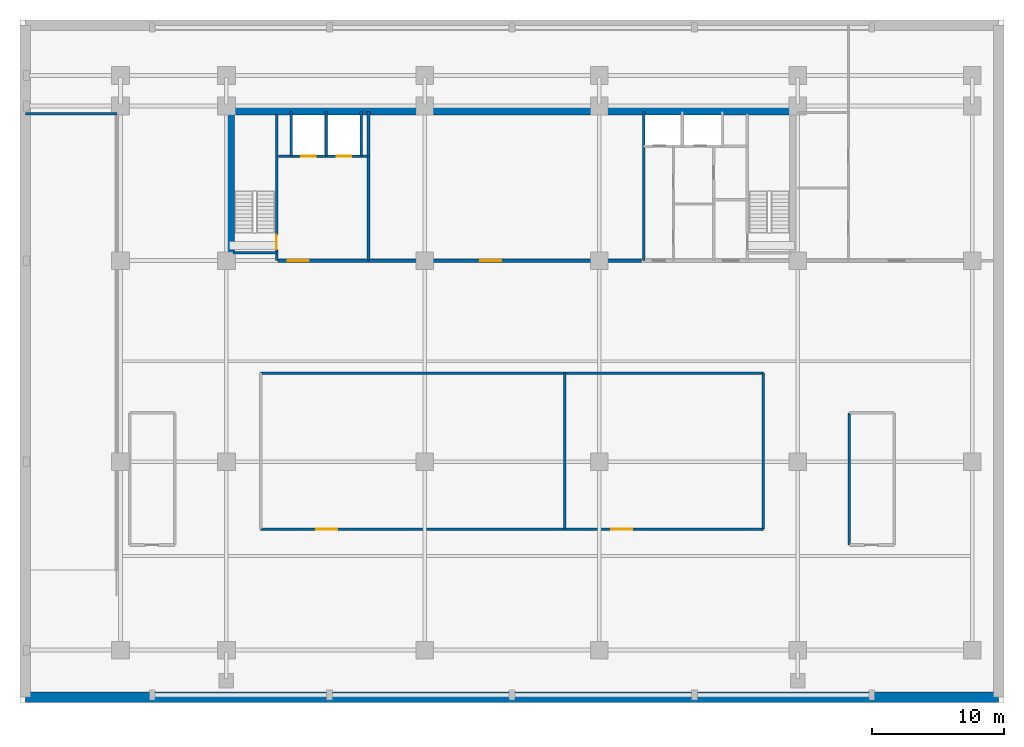
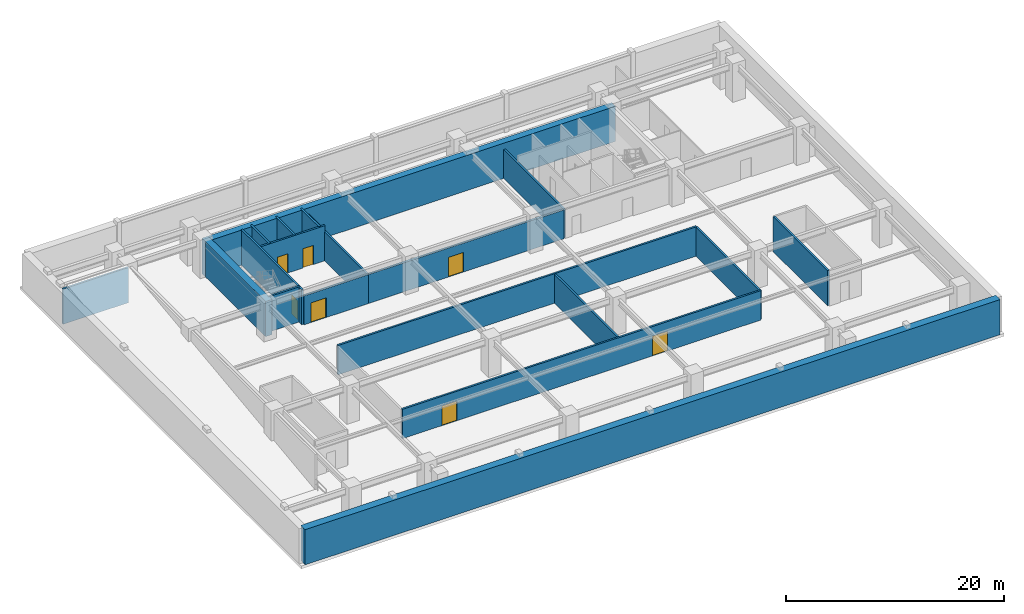
# One storey, part 4 of 8: 19 walls, 7 doors, 7 openings.
"""IFC4 building model written with IfcOpenShell, lengths in metres."""

from ifc_helpers import new_model, si_unit, direction, frame, frame_2d, origin, place, context, subcontext, project, spatial, rectangle, extrude, source, transform, mapped, material, layer, layer_set, type_object, element, fill, save


model = new_model("IFC4")

# Units and contexts
model_context = context("Model", 3, precision=1e-05, world=origin(), true_north=direction((0.0, 1.0)))
body_context = subcontext(model_context, "Body", "Model", "MODEL_VIEW")
ifc_project = project(units=[si_unit("LENGTHUNIT", "METRE"), si_unit("AREAUNIT", "SQUARE_METRE"), si_unit("VOLUMEUNIT", "CUBIC_METRE"), si_unit("PLANEANGLEUNIT", "RADIAN"), si_unit("MASSUNIT", "GRAM", prefix="KILO")], contexts=[model_context])

# Site, building, storey
site_placement = place(None, origin())
site = spatial("IfcSite", under=ifc_project, at=site_placement, CompositionType="ELEMENT")
building_placement = place(site_placement, origin())
building = spatial("IfcBuilding", under=site, at=building_placement, Name="Trelvane Seafront Commons", CompositionType="ELEMENT")
storey_placement = place(building_placement, frame((0.0, 0.0, -4.300048828125)))
storey = spatial("IfcBuildingStorey", under=building, at=storey_placement, Name="B01", CompositionType="ELEMENT", Elevation=-4.300048828125)

# Wall, openings, doors
ifc_material_1 = material(Name="Concrete C40/50", Category="concrete")
ifc_layer_1 = layer(ifc_material_1, 0.199951171875, Name="ARCH-WALL-FIRE200")
ifc_layer_set_1 = layer_set([ifc_layer_1], Name="Concrete C40/50")
wall_type_1 = type_object("IfcWallType", Name="ARCH-WALL-FIRE200", PredefinedType="PARTITIONING", material=ifc_layer_set_1)
wall_1_placement = place(storey_placement, frame((18.199951171875, 13.10009765625, 0.0), z_axis=(0.0, 0.0, 1.0), x_axis=(1.0, 0.0, 0.0)))
wall_1 = element("IfcWall", 1, at=wall_1_placement, inside=storey, type_object=wall_type_1, Name="W-B01-BM-IS-S-035", PredefinedType="PARTITIONING", context=body_context, shape_type="SweptSolid", body=[
    extrude(rectangle(XDim=38.0, YDim=0.199951171875, at=frame_2d((19.0, 0.0))), origin(), (0.0, 0.0, 1.0), 3.2900390625),
])
opening_1_placement = place(wall_1_placement, frame((4.199951171875, 0.0, 0.0)))
opening_1 = element("IfcOpeningElement", 2, at=opening_1_placement, cuts=wall_1, Name="Opening FD-B01-18", PredefinedType="OPENING", context=body_context, shape_type="SweptSolid", body=[
    extrude(rectangle(XDim=1.60009765625, YDim=2.199951171875, at=frame_2d((0.800048828125, 1.10009765625))), frame((0.0, 0.10986328125, 0.0), z_axis=(0.0, -1.0, 0.0), x_axis=(1.0, 0.0, 0.0)), (0.0, 0.0, 1.0), 0.219970703125),
])
opening_2_placement = place(wall_1_placement, frame((26.5, 0.0, 0.0)))
opening_2 = element("IfcOpeningElement", 3, at=opening_2_placement, cuts=wall_1, Name="Opening FD-B01-19", PredefinedType="OPENING", context=body_context, shape_type="SweptSolid", body=[
    extrude(rectangle(XDim=1.60009765625, YDim=2.199951171875, at=frame_2d((0.800048828125, 1.10009765625))), frame((0.0, 0.10986328125, 0.0), z_axis=(0.0, -1.0, 0.0), x_axis=(1.0, 0.0, 0.0)), (0.0, 0.0, 1.0), 0.219970703125),
])
ifc_material_2 = material(Name="Powder-coated aluminium frame", Category="aluminium")
door_type_1 = type_object("IfcDoorType", Name="ARCH-DR-FD60-1600", OperationType="DOUBLE_DOOR_SINGLE_SWING", PredefinedType="DOOR", material=ifc_material_2)
shared_shape_1 = source(origin(), body_context, "Body", "SweptSolid", [
    extrude(rectangle(XDim=1.60009765625, YDim=2.199951171875, at=frame_2d((0.800048828125, 1.10009765625))), frame((0.0, 0.02490234375, 0.0), z_axis=(0.0, -1.0, 0.0), x_axis=(1.0, 0.0, 0.0)), (0.0, 0.0, 1.0), 0.050048828125),
])
door_1_placement = place(opening_1_placement, origin())
door_1 = element("IfcDoor", 4, at=door_1_placement, inside=storey, type_object=door_type_1, Name="B01 Door 18", OperationType="DOUBLE_DOOR_SINGLE_SWING", OverallHeight=2.199951171875, OverallWidth=1.60009765625, PredefinedType="DOOR", context=body_context, shape_type="MappedRepresentation", body=[
    mapped(shared_shape_1, transform((0.0, 0.0, 0.0), x_axis=(1.0, 0.0, 0.0), y_axis=(0.0, 1.0, 0.0), z_axis=(0.0, 0.0, 1.0), scale=1.0)),
])
fill(opening_1, door_1)
door_2_placement = place(opening_2_placement, origin())
door_2 = element("IfcDoor", 5, at=door_2_placement, inside=storey, type_object=door_type_1, Name="B01 Door 19", OperationType="DOUBLE_DOOR_SINGLE_SWING", OverallHeight=2.199951171875, OverallWidth=1.60009765625, PredefinedType="DOOR", context=body_context, shape_type="MappedRepresentation", body=[
    mapped(shared_shape_1, transform((0.0, 0.0, 0.0), x_axis=(1.0, 0.0, 0.0), y_axis=(0.0, 1.0, 0.0), z_axis=(0.0, 0.0, 1.0), scale=1.0)),
])
fill(opening_2, door_2)

# Walls
wall_2_placement = place(storey_placement, frame((18.199951171875, 24.89990234375, 0.0), z_axis=(0.0, 0.0, 1.0), x_axis=(1.0, 0.0, 0.0)))
element("IfcWall", 6, at=wall_2_placement, inside=storey, type_object=wall_type_1, Name="W-B01-BM-IS-N-036", PredefinedType="PARTITIONING", context=body_context, shape_type="SweptSolid", body=[
    extrude(rectangle(XDim=38.0, YDim=0.199951171875, at=frame_2d((19.0, 0.0))), origin(), (0.0, 0.0, 1.0), 3.2900390625),
])
for number, where, z_axis, x_axis, name in (
    (7, (56.199951171875, 13.10009765625, 0.0), (0.0, 0.0, 1.0), (0.0, 1.0, 0.0), "W-B01-BM-IS-E-038"),
    (8, (41.199951171875, 13.10009765625, 0.0), (0.0, 0.0, 1.0), (0.0, 1.0, 0.0), "W-B01-BM-IS-M-039"),
):
    element("IfcWall", number, at=place(storey_placement, frame(where, z_axis=z_axis, x_axis=x_axis)), inside=storey, type_object=wall_type_1, Name=name, PredefinedType="PARTITIONING", context=body_context, shape_type="SweptSolid", body=[
        extrude(rectangle(XDim=11.7998046875, YDim=0.199951171875, at=frame_2d((5.89990234375, 0.0))), origin(), (0.0, 0.0, 1.0), 3.239990234375),
    ])

# Wall, opening, door
ifc_layer_2 = layer(ifc_material_1, 0.25, Name="ARCH-WALL-FIRE250")
ifc_layer_set_2 = layer_set([ifc_layer_2], Name="Concrete C40/50")
wall_type_2 = type_object("IfcWallType", Name="ARCH-WALL-FIRE250", PredefinedType="PARTITIONING", material=ifc_layer_set_2)
wall_3_placement = place(storey_placement, frame((19.5, 33.39990234375, 0.0), z_axis=(0.0, 0.0, 1.0), x_axis=(1.0, 0.0, 0.0)))
wall_3 = element("IfcWall", 9, at=wall_3_placement, inside=storey, type_object=wall_type_2, Name="W-B01-CS-FFL-021", PredefinedType="PARTITIONING", context=body_context, shape_type="SweptSolid", body=[
    extrude(rectangle(XDim=6.800048828125, YDim=0.25, at=frame_2d((3.39990234375, 0.0))), origin(), (0.0, 0.0, 1.0), 3.239990234375),
])
opening_3_placement = place(wall_3_placement, frame((0.75, 0.0, 0.0)))
opening_3 = element("IfcOpeningElement", 10, at=opening_3_placement, cuts=wall_3, Name="Opening FD-B01-07", PredefinedType="OPENING", context=body_context, shape_type="SweptSolid", body=[
    extrude(rectangle(XDim=1.60009765625, YDim=2.199951171875, at=frame_2d((0.800048828125, 1.10009765625))), frame((0.0, 0.135009765625, 0.0), z_axis=(0.0, -1.0, 0.0), x_axis=(1.0, 0.0, 0.0)), (0.0, 0.0, 1.0), 0.27001953125),
])
door_3_placement = place(opening_3_placement, origin())
door_3 = element("IfcDoor", 11, at=door_3_placement, inside=storey, type_object=door_type_1, Name="B01 Firefighting Lift Lobby Double Fire Door", OperationType="DOUBLE_DOOR_SINGLE_SWING", OverallHeight=2.199951171875, OverallWidth=1.60009765625, PredefinedType="DOOR", context=body_context, shape_type="MappedRepresentation", body=[
    mapped(shared_shape_1, transform((0.0, 0.0, 0.0), x_axis=(1.0, 0.0, 0.0), y_axis=(0.0, 1.0, 0.0), z_axis=(0.0, 0.0, 1.0), scale=1.0)),
])
fill(opening_3, door_3)

wall_4_placement = place(storey_placement, frame((26.300048828125, 33.39990234375, 0.0), z_axis=(0.0, 0.0, 1.0), x_axis=(1.0, 0.0, 0.0)))
wall_4 = element("IfcWall", 12, at=wall_4_placement, inside=storey, type_object=wall_type_2, Name="W-B01-CS-MID-023", PredefinedType="PARTITIONING", context=body_context, shape_type="SweptSolid", body=[
    extrude(rectangle(XDim=20.699951171875, YDim=0.25, at=frame_2d((10.35009765625, 0.0))), origin(), (0.0, 0.0, 1.0), 3.239990234375),
])
opening_4_placement = place(wall_4_placement, frame((8.5, 0.0, 0.0)))
opening_4 = element("IfcOpeningElement", 13, at=opening_4_placement, cuts=wall_4, Name="Opening FD-B01-08", PredefinedType="OPENING", context=body_context, shape_type="SweptSolid", body=[
    extrude(rectangle(XDim=1.60009765625, YDim=2.199951171875, at=frame_2d((0.800048828125, 1.10009765625))), frame((0.0, 0.135009765625, 0.0), z_axis=(0.0, -1.0, 0.0), x_axis=(1.0, 0.0, 0.0)), (0.0, 0.0, 1.0), 0.27001953125),
])
door_4_placement = place(opening_4_placement, origin())
door_4 = element("IfcDoor", 14, at=door_4_placement, inside=storey, type_object=door_type_1, Name="B01 Core Technical Room Door", OperationType="DOUBLE_DOOR_SINGLE_SWING", OverallHeight=2.199951171875, OverallWidth=1.60009765625, PredefinedType="DOOR", context=body_context, shape_type="MappedRepresentation", body=[
    mapped(shared_shape_1, transform((0.0, 0.0, 0.0), x_axis=(1.0, 0.0, 0.0), y_axis=(0.0, 1.0, 0.0), z_axis=(0.0, 0.0, 1.0), scale=1.0)),
])
fill(opening_4, door_4)

# Wall, openings, doors
ifc_layer_3 = layer(ifc_material_1, 0.199951171875, Name="ARCH-WALL-SHAFT200")
ifc_layer_set_3 = layer_set([ifc_layer_3], Name="Concrete C40/50")
wall_type_3 = type_object("IfcWallType", Name="ARCH-WALL-SHAFT200", PredefinedType="SOLIDWALL", material=ifc_layer_set_3)
wall_5_placement = place(storey_placement, frame((19.550048828125, 41.300048828125, 0.0), z_axis=(0.0, 0.0, 1.0), x_axis=(1.0, 0.0, 0.0)))
wall_5 = element("IfcWall", 15, at=wall_5_placement, inside=storey, type_object=wall_type_3, Name="W-B01-FFL-FRONT-016", PredefinedType="SOLIDWALL", context=body_context, shape_type="SweptSolid", body=[
    extrude(rectangle(XDim=6.75, YDim=0.199951171875, at=frame_2d((3.375, 0.0))), origin(), (0.0, 0.0, 1.0), 3.93994140625),
])
opening_5_placement = place(wall_5_placement, frame((1.699951171875, 0.0, 0.0)))
opening_5 = element("IfcOpeningElement", 16, at=opening_5_placement, cuts=wall_5, Name="Opening LD-FF1-B01", PredefinedType="OPENING", context=body_context, shape_type="SweptSolid", body=[
    extrude(rectangle(XDim=1.10009765625, YDim=2.14990234375, at=frame_2d((0.550048828125, 1.074951171875))), frame((0.0, 0.10986328125, 0.0), z_axis=(0.0, -1.0, 0.0), x_axis=(1.0, 0.0, 0.0)), (0.0, 0.0, 1.0), 0.219970703125),
])
opening_6_placement = place(wall_5_placement, frame((4.39990234375, 0.0, 0.0)))
opening_6 = element("IfcOpeningElement", 17, at=opening_6_placement, cuts=wall_5, Name="Opening LD-FF2-B01", PredefinedType="OPENING", context=body_context, shape_type="SweptSolid", body=[
    extrude(rectangle(XDim=1.10009765625, YDim=2.14990234375, at=frame_2d((0.550048828125, 1.074951171875))), frame((0.0, 0.10986328125, 0.0), z_axis=(0.0, -1.0, 0.0), x_axis=(1.0, 0.0, 0.0)), (0.0, 0.0, 1.0), 0.219970703125),
])
ifc_material_3 = material(Name="Stainless steel balustrade", Category="steel")
door_type_2 = type_object("IfcDoorType", Name="ARCH-DR-LD1100", OperationType="DOUBLE_DOOR_SLIDING", PredefinedType="DOOR", material=ifc_material_3)
shared_shape_2 = source(origin(), body_context, "Body", "SweptSolid", [
    extrude(rectangle(XDim=1.10009765625, YDim=2.14990234375, at=frame_2d((0.550048828125, 1.074951171875))), frame((0.0, 0.02490234375, 0.0), z_axis=(0.0, -1.0, 0.0), x_axis=(1.0, 0.0, 0.0)), (0.0, 0.0, 1.0), 0.050048828125),
])
door_5_placement = place(opening_5_placement, origin())
door_5 = element("IfcDoor", 18, at=door_5_placement, inside=storey, type_object=door_type_2, Name="B01 Firefighting Lift FFL-1 Landing Door", OperationType="DOUBLE_DOOR_SLIDING", OverallHeight=2.14990234375, OverallWidth=1.10009765625, PredefinedType="DOOR", context=body_context, shape_type="MappedRepresentation", body=[
    mapped(shared_shape_2, transform((0.0, 0.0, 0.0), x_axis=(1.0, 0.0, 0.0), y_axis=(0.0, 1.0, 0.0), z_axis=(0.0, 0.0, 1.0), scale=1.0)),
])
fill(opening_5, door_5)
door_6_placement = place(opening_6_placement, origin())
door_6 = element("IfcDoor", 19, at=door_6_placement, inside=storey, type_object=door_type_2, Name="B01 Firefighting Lift FFL-2 Landing Door", OperationType="DOUBLE_DOOR_SLIDING", OverallHeight=2.14990234375, OverallWidth=1.10009765625, PredefinedType="DOOR", context=body_context, shape_type="MappedRepresentation", body=[
    mapped(shared_shape_2, transform((0.0, 0.0, 0.0), x_axis=(1.0, 0.0, 0.0), y_axis=(0.0, 1.0, 0.0), z_axis=(0.0, 0.0, 1.0), scale=1.0)),
])
fill(opening_6, door_6)

# Walls
for number, where, z_axis, x_axis, name in (
    (20, (20.5, 41.300048828125, 0.0), (0.0, 0.0, 1.0), (0.0, 1.0, 0.0), "W-B01-FFL-SH-W-017"),
    (21, (23.14990234375, 41.300048828125, 0.0), (0.0, 0.0, 1.0), (0.0, 1.0, 0.0), "W-B01-FFL-DIV-018"),
    (22, (25.800048828125, 41.300048828125, 0.0), (0.0, 0.0, 1.0), (0.0, 1.0, 0.0), "W-B01-FFL-SH-E-019"),
):
    element("IfcWall", number, at=place(storey_placement, frame(where, z_axis=z_axis, x_axis=x_axis)), inside=storey, type_object=wall_type_3, Name=name, PredefinedType="SOLIDWALL", context=body_context, shape_type="SweptSolid", body=[
        extrude(rectangle(XDim=3.39990234375, YDim=0.199951171875, at=frame_2d((1.699951171875, 0.0))), origin(), (0.0, 0.0, 1.0), 3.93994140625),
    ])
for number, where, z_axis, x_axis, name in (
    (23, (26.35009765625, 33.39990234375, 0.0), (0.0, 0.0, 1.0), (0.0, 1.0, 0.0), "W-B01-FFL-EAST-020"),
    (24, (47.14990234375, 33.39990234375, 0.0), (0.0, 0.0, 1.0), (0.0, 1.0, 0.0), "W-B01-RSR-W-BM-022"),
):
    element("IfcWall", number, at=place(storey_placement, frame(where, z_axis=z_axis, x_axis=x_axis)), inside=storey, type_object=wall_type_3, Name=name, PredefinedType="SOLIDWALL", context=body_context, shape_type="SweptSolid", body=[
        extrude(rectangle(XDim=11.300048828125, YDim=0.199951171875, at=frame_2d((5.64990234375, 0.0))), origin(), (0.0, 0.0, 1.0), 3.239990234375),
    ])
ifc_material_4 = material(Name="Concrete C60/75", Category="concrete")
ifc_layer_4 = layer(ifc_material_4, 0.699951171875, Name="STR-WALL-CORE700")
ifc_layer_set_4 = layer_set([ifc_layer_4], Name="Concrete C60/75")
wall_type_4 = type_object("IfcWallType", Name="STR-WALL-CORE700", PredefinedType="SHEAR", material=ifc_layer_set_4)
wall_6_placement = place(storey_placement, frame((15.5, 44.75, 0.0), z_axis=(0.0, 0.0, 1.0), x_axis=(1.0, 0.0, 0.0)))
element("IfcWall", 25, at=wall_6_placement, inside=storey, type_object=wall_type_4, Name="W-B01-CN-ALL-001", PredefinedType="SHEAR", context=body_context, shape_type="SweptSolid", body=[
    extrude(rectangle(XDim=43.39990234375, YDim=0.699951171875, at=frame_2d((21.699951171875, 0.0))), origin(), (0.0, 0.0, 1.0), 3.93994140625),
])
wall_7_placement = place(storey_placement, frame((15.85009765625, 33.39990234375, 0.0), z_axis=(0.0, 0.0, 1.0), x_axis=(0.0, 1.0, 0.0)))
element("IfcWall", 26, at=wall_7_placement, inside=storey, type_object=wall_type_4, Name="W-B01-CW-END-002", PredefinedType="SHEAR", context=body_context, shape_type="SweptSolid", body=[
    extrude(rectangle(XDim=11.7001953125, YDim=0.699951171875, at=frame_2d((5.85009765625, 0.0))), origin(), (0.0, 0.0, 1.0), 3.93994140625),
])
ifc_material_5 = material(Name="Concrete C50/60", Category="concrete")
ifc_layer_5 = layer(ifc_material_5, 0.800048828125, Name="STR-WALL-RET800")
ifc_layer_set_5 = layer_set([ifc_layer_5], Name="Concrete C50/60")
wall_type_5 = type_object("IfcWallType", Name="STR-WALL-RET800", PredefinedType="USERDEFINED", material=ifc_layer_set_5)
wall_8_placement = place(storey_placement, frame((0.39990234375, 0.39990234375, 0.0), z_axis=(0.0, 0.0, 1.0), x_axis=(1.0, 0.0, 0.0)))
element("IfcWall", 27, at=wall_8_placement, inside=storey, type_object=wall_type_5, Name="RET-B01-09", ObjectType="RETAINING WALL", PredefinedType="USERDEFINED", context=body_context, shape_type="SweptSolid", body=[
    extrude(rectangle(XDim=73.60009765625, YDim=0.800048828125, at=frame_2d((36.800048828125, 0.0))), origin(), (0.0, 0.0, 1.0), 3.93994140625),
])
ifc_layer_6 = layer(ifc_material_5, 0.199951171875, Name="STR-WALL-STAIR200")
ifc_layer_set_6 = layer_set([ifc_layer_6], Name="Concrete C50/60")
wall_type_6 = type_object("IfcWallType", Name="STR-WALL-STAIR200", PredefinedType="SHEAR", material=ifc_layer_set_6)
wall_9_placement = place(storey_placement, frame((16.10009765625, 34.0, 0.0), z_axis=(0.0, 0.0, 1.0), x_axis=(1.0, 0.0, 0.0)))
element("IfcWall", 28, at=wall_9_placement, inside=storey, type_object=wall_type_6, Name="W-B01-ST1-S-004", PredefinedType="SHEAR", context=body_context, shape_type="SweptSolid", body=[
    extrude(rectangle(XDim=3.39990234375, YDim=0.199951171875, at=frame_2d((1.699951171875, 0.0))), origin(), (0.0, 0.0, 1.0), 3.93994140625),
])

# Wall, opening, door
wall_10_placement = place(storey_placement, frame((19.39990234375, 33.39990234375, 0.0), z_axis=(0.0, 0.0, 1.0), x_axis=(0.0, 1.0, 0.0)))
wall_10 = element("IfcWall", 29, at=wall_10_placement, inside=storey, type_object=wall_type_6, Name="W-B01-ST1-E-005", PredefinedType="SHEAR", context=body_context, shape_type="SweptSolid", body=[
    extrude(rectangle(XDim=11.10009765625, YDim=0.199951171875, at=frame_2d((5.550048828125, 0.0))), origin(), (0.0, 0.0, 1.0), 3.93994140625),
])
opening_7_placement = place(wall_10_placement, frame((0.85009765625, 0.0, 0.0)))
opening_7 = element("IfcOpeningElement", 30, at=opening_7_placement, cuts=wall_10, Name="Opening ST-D1-B01", PredefinedType="OPENING", context=body_context, shape_type="SweptSolid", body=[
    extrude(rectangle(XDim=1.10009765625, YDim=2.14990234375, at=frame_2d((0.550048828125, 1.074951171875))), frame((0.0, 0.10986328125, 0.0), z_axis=(0.0, -1.0, 0.0), x_axis=(1.0, 0.0, 0.0)), (0.0, 0.0, 1.0), 0.219970703125),
])
door_type_3 = type_object("IfcDoorType", Name="ARCH-DR-FD90-1100", OperationType="NOTDEFINED", PredefinedType="DOOR", material=ifc_material_2)
door_7_placement = place(opening_7_placement, origin())
door_7 = element("IfcDoor", 31, at=door_7_placement, inside=storey, type_object=door_type_3, Name="B01 Stair ST-1 Lobby Fire Door", OperationType="SINGLE_SWING_LEFT", OverallHeight=2.14990234375, OverallWidth=1.10009765625, PredefinedType="DOOR", context=body_context, shape_type="MappedRepresentation", body=[
    mapped(shared_shape_2, transform((0.0, 0.0, 0.0), x_axis=(1.0, 0.0, 0.0), y_axis=(0.0, 1.0, 0.0), z_axis=(0.0, 0.0, 1.0), scale=1.0)),
])
fill(opening_7, door_7)

# Walls
wall_11_placement = place(storey_placement, frame((62.699951171875, 11.89990234375, 0.0), z_axis=(0.0, 0.0, 1.0), x_axis=(0.0, 1.0, 0.0)))
element("IfcWall", 32, at=wall_11_placement, inside=storey, type_object=wall_type_6, Name="W-B01-ST4B-W-012", PredefinedType="SHEAR", context=body_context, shape_type="SweptSolid", body=[
    extrude(rectangle(XDim=10.0, YDim=0.199951171875, at=frame_2d((5.0, 0.0))), origin(), (0.0, 0.0, 1.0), 3.93994140625),
])
wall_12_placement = place(storey_placement, frame((0.39990234375, 44.5, 0.0), z_axis=(0.0, 0.0, 1.0), x_axis=(1.0, 0.0, 0.0)))
element("IfcWall", 33, at=wall_12_placement, inside=storey, type_object=wall_type_6, Name="W-B01-RMP-N-B1-042", PredefinedType="SHEAR", context=body_context, shape_type="SweptSolid", body=[
    extrude(rectangle(XDim=6.9501953125, YDim=0.199951171875, at=frame_2d((3.47509765625, 0.0))), origin(), (0.0, 0.0, 1.0), 3.93994140625),
])

save(model, "model.ifc")
